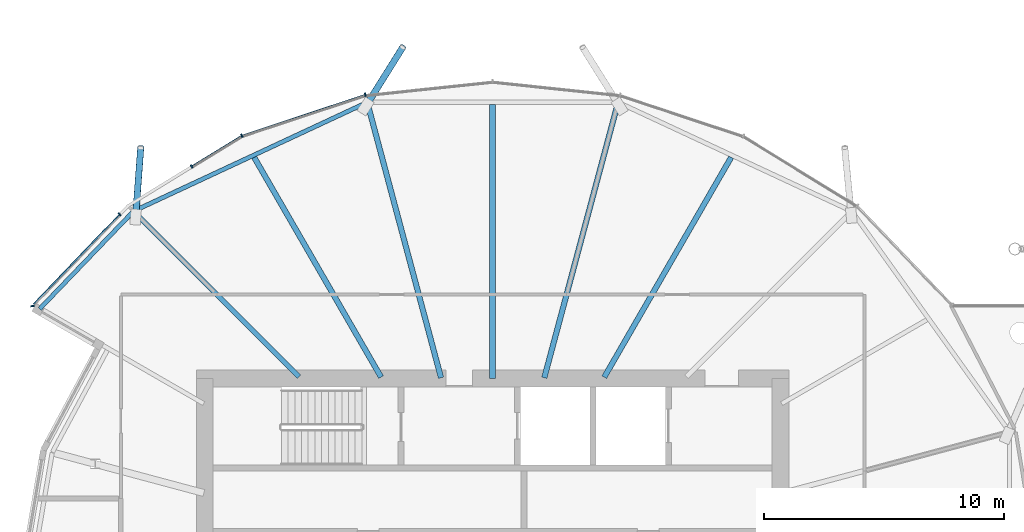
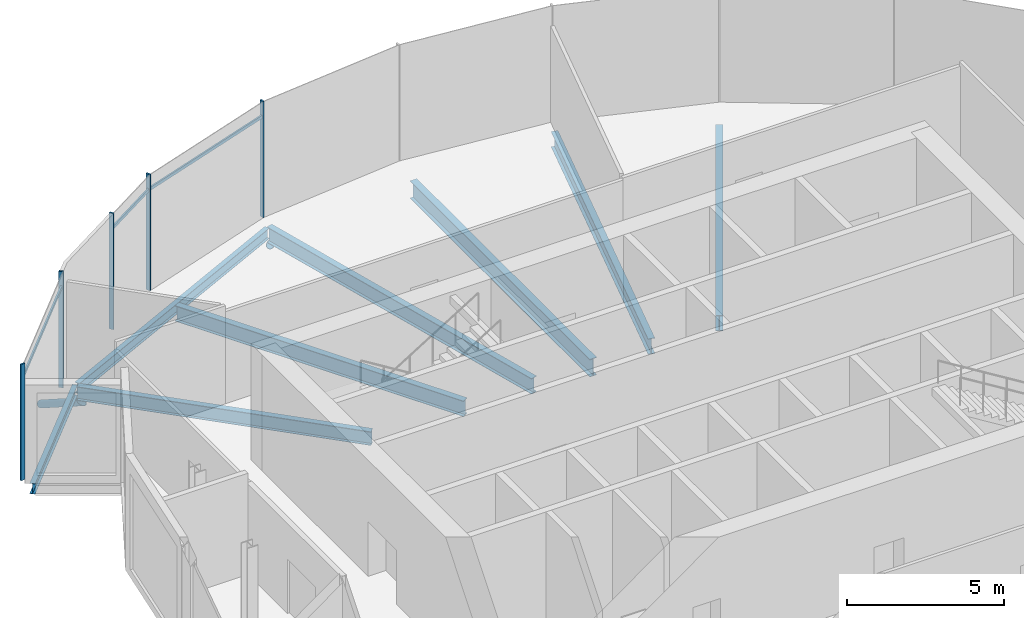
# One storey, part 8 of 36: 10 members, 8 beams, 1 element without a shape of its own.
"""IFC4 building model written with IfcOpenShell, lengths in metres."""

from ifc_helpers import new_model, si_unit, direction, frame, origin, origin_2d, place, context, subcontext, project, spatial, rectangle, hollow_circle, i_section, extrude, clip, halfspace, material, material_profile, profile_set, type_object, element, aggregate, save


model = new_model("IFC4")

# Units and contexts
model_context = context("Model", 3, precision=1e-05, world=origin(), true_north=direction((0.0, 1.0)))
body_context = subcontext(model_context, "Body", "Model", "MODEL_VIEW")
ifc_project = project(units=[si_unit("LENGTHUNIT", "METRE"), si_unit("AREAUNIT", "SQUARE_METRE"), si_unit("VOLUMEUNIT", "CUBIC_METRE"), si_unit("PLANEANGLEUNIT", "RADIAN"), si_unit("MASSUNIT", "GRAM", prefix="KILO")], contexts=[model_context])

# Site, building, storey
site_placement = place(None, origin())
site = spatial("IfcSite", under=ifc_project, at=site_placement, CompositionType="ELEMENT")
building_placement = place(site_placement, origin())
building = spatial("IfcBuilding", under=site, at=building_placement, Name="Rimbun Link Towers", CompositionType="ELEMENT")
storey_placement = place(building_placement, frame((0.0, 0.0, 154.39990234375)))
storey = spatial("IfcBuildingStorey", under=building, at=storey_placement, Name="L37", CompositionType="ELEMENT", Elevation=154.39990234375)

# Curtain wall, members
ifc_material_1 = material(Name="Aluminium 6063-T6 and low-iron glass", Category="aluminium")
curtain_wall_type = type_object("IfcCurtainWallType", Name="CW5 full height lobby wall", PredefinedType="NOTDEFINED", material=ifc_material_1)
curtain_wall_placement = place(storey_placement, origin())
curtain_wall = element("IfcCurtainWall", 1, at=curtain_wall_placement, inside=storey, type_object=curtain_wall_type, Name="CW5 L37 T1", PredefinedType="NOTDEFINED")
ifc_material_2 = material(Name="Aluminium 6063-T6", Category="aluminium")
ifc_material_profile_1 = material_profile(ifc_material_2, rectangle(XDim=0.14990234375, YDim=0.06005859375, at=origin_2d()), Name="MULLION 60X150")
ifc_profile_set_1 = profile_set([ifc_material_profile_1], Name="Aluminium 6063-T6")
member_type_1 = type_object("IfcMemberType", Name="CW5 mullion 60X150", PredefinedType="MULLION", material=ifc_profile_set_1)
member_1_placement = place(storey_placement, frame((-37.059814453125, 19.831298828125, 0.0), z_axis=(0.0, 0.0, 1.0), x_axis=(-0.210874693144, 0.977513101596, 0.0)))
member_1 = element("IfcMember", 2, at=member_1_placement, type_object=member_type_1, Name="CW5 mullion", PredefinedType="MULLION", context=body_context, shape_type="SweptSolid", body=[
    extrude(rectangle(XDim=0.14990234375, YDim=0.06005859375, at=origin_2d()), origin(), (0.0, 0.0, 1.0), 4.5),
])
member_2_placement = place(storey_placement, frame((-42.20703125, 18.12548828125, 0.0), z_axis=(0.0, 0.0, 1.0), x_axis=(-0.421697332152, 0.906736654192, 0.0)))
member_2 = element("IfcMember", 3, at=member_2_placement, type_object=member_type_1, Name="CW5 mullion", PredefinedType="MULLION", context=body_context, shape_type="SweptSolid", body=[
    extrude(rectangle(XDim=0.14990234375, YDim=0.06005859375, at=origin_2d()), origin(), (0.0, 0.0, 1.0), 4.5),
])
member_3_placement = place(storey_placement, frame((-44.3017578125, 16.840087890625, 0.0), z_axis=(0.0, 0.0, 1.0), x_axis=(-0.523225378089, 0.852194346217, 0.0)))
member_3 = element("IfcMember", 4, at=member_3_placement, type_object=member_type_1, Name="CW5 mullion", PredefinedType="MULLION", context=body_context, shape_type="SweptSolid", body=[
    extrude(rectangle(XDim=0.14990234375, YDim=0.06005859375, at=origin_2d()), origin(), (0.0, 0.0, 1.0), 4.5),
])
member_4_placement = place(storey_placement, frame((-50.93115234375, 11.020751953125, 0.0), z_axis=(0.0, 0.0, 1.0), x_axis=(-0.990014588747, -0.140964939143, 0.0)))
member_4 = element("IfcMember", 5, at=member_4_placement, type_object=member_type_1, Name="CW5 mullion", PredefinedType="MULLION", context=body_context, shape_type="SweptSolid", body=[
    extrude(rectangle(XDim=0.14990234375, YDim=0.06005859375, at=origin_2d()), origin(), (0.0, 0.0, 1.0), 4.5),
])
member_5_placement = place(storey_placement, frame((-47.304443359375, 14.84521484375, 0.0), z_axis=(0.0, 0.0, 1.0), x_axis=(-0.721858090698, 0.692041109252, 0.0)))
member_5 = element("IfcMember", 6, at=member_5_placement, type_object=member_type_1, Name="CW5 mullion", PredefinedType="MULLION", context=body_context, shape_type="SweptSolid", body=[
    extrude(rectangle(XDim=0.14990234375, YDim=0.06005859375, at=origin_2d()), origin(), (0.0, 0.0, 1.0), 4.5),
])
ifc_material_3 = material(Name="Aluminium 6063-T6", Category="aluminium")
ifc_material_profile_2 = material_profile(ifc_material_3, rectangle(XDim=0.06005859375, YDim=0.1201171875, at=origin_2d()), Name="TRANSOM 60X120")
ifc_profile_set_2 = profile_set([ifc_material_profile_2], Name="Aluminium 6063-T6")
member_type_2 = type_object("IfcMemberType", Name="CW5 transom 60X120", PredefinedType="USERDEFINED", material=ifc_profile_set_2)
member_6_placement = place(storey_placement, frame((-42.16650390625, 18.125732421875, 3.900146484375), z_axis=(0.949234446974, 0.314569491016, 0.0), x_axis=(-0.314569491016, 0.949234446974, 0.0)))
member_6 = element("IfcMember", 7, at=member_6_placement, type_object=member_type_2, Name="CW5 transom", ObjectType="TRANSOM", PredefinedType="USERDEFINED", context=body_context, shape_type="SweptSolid", body=[
    extrude(rectangle(XDim=0.06005859375, YDim=0.1201171875, at=origin_2d()), origin(), (0.0, 0.0, 1.0), 5.345947265625),
])
member_7_placement = place(storey_placement, frame((-44.269287109375, 16.8447265625, 3.900146484375), z_axis=(0.852191211524, 0.523230483631, 0.0), x_axis=(-0.523230483631, 0.852191211524, 0.0)))
member_7 = element("IfcMember", 8, at=member_7_placement, type_object=member_type_2, Name="CW5 transom", ObjectType="TRANSOM", PredefinedType="USERDEFINED", context=body_context, shape_type="SweptSolid", body=[
    extrude(rectangle(XDim=0.06005859375, YDim=0.1201171875, at=origin_2d()), origin(), (0.0, 0.0, 1.0), 2.388916015625),
])
member_8_placement = place(storey_placement, frame((-50.880859375, 11.095947265625, 3.900146484375), z_axis=(0.69206900955, 0.721831341811, 0.0), x_axis=(-0.721831341811, 0.69206900955, 0.0)))
member_8 = element("IfcMember", 9, at=member_8_placement, type_object=member_type_2, Name="CW5 transom", ObjectType="TRANSOM", PredefinedType="USERDEFINED", context=body_context, shape_type="SweptSolid", body=[
    extrude(rectangle(XDim=0.06005859375, YDim=0.1201171875, at=origin_2d()), origin(), (0.0, 0.0, 1.0), 5.1513671875),
])
aggregate(curtain_wall, [member_1, member_2, member_3, member_4, member_5, member_6, member_7, member_8])

# Members
ifc_material_4 = material(Name="Steel S355J2H", Category="steel")
ifc_material_profile_3 = material_profile(ifc_material_4, hollow_circle(Radius=0.136474609375, WallThickness=0.012451171875, at=origin_2d()), Name="CHS 273x12.5")
ifc_profile_set_3 = profile_set([ifc_material_profile_3], Name="Steel S355J2H")
member_type_3 = type_object("IfcMemberType", Name="Floor edge link CHS 273x12.5", PredefinedType="BRACE", material=ifc_profile_set_3)
member_9_placement = place(storey_placement, frame((-36.9658203125, 19.465087890625, -0.897216796875), z_axis=(0.445991113908, 0.711836509262, -0.542568622754), x_axis=(-0.847412832635, 0.530934545011, 0.0)))
element("IfcMember", 10, at=member_9_placement, inside=storey, type_object=member_type_3, Name="Floor edge link T1 L37 07", PredefinedType="BRACE", context=body_context, shape_type="Clipping", body=[
    clip(extrude(hollow_circle(Radius=0.136474609375, WallThickness=0.012451171875, at=origin_2d()), frame((0.0, 0.0, -0.441162109375)), (0.0, 0.0, 1.0), 3.7626953125), halfspace(frame((0.0, 0.0, -0.207763671875), z_axis=(0.0, 0.840011481828, -0.542568622754)), False)),
])
member_10_placement = place(storey_placement, frame((-46.62353515625, 14.87353515625, -0.826904296875), z_axis=(0.061675883035, 0.832477922431, -0.550614742008), x_axis=(-0.997266796676, 0.073884614413, 0.0)))
element("IfcMember", 11, at=member_10_placement, inside=storey, type_object=member_type_3, Name="Floor edge link T1 L37 09", PredefinedType="BRACE", context=body_context, shape_type="Clipping", body=[
    clip(extrude(hollow_circle(Radius=0.136474609375, WallThickness=0.012451171875, at=origin_2d()), frame((0.0, 0.0, -0.43212890625)), (0.0, 0.0, 1.0), 3.76513671875), halfspace(frame((0.0, 0.0, -0.203125), z_axis=(0.0, 0.834759489844, -0.550614742008)), False)),
])

# Beams
ifc_material_5 = material(Name="Steel S355J2", Category="steel")
ifc_material_profile_4 = material_profile(ifc_material_5, i_section(OverallWidth=0.177978515625, OverallDepth=0.406494140625, WebThickness=0.0078125, FlangeThickness=0.0126953125, at=origin_2d()), Name="UB 406x178x60")
ifc_profile_set_4 = profile_set([ifc_material_profile_4], Name="Steel S355J2")
beam_type_1 = type_object("IfcBeamType", Name="UB 406x178x60", PredefinedType="BEAM", material=ifc_profile_set_4)
beam_1_placement = place(storey_placement, frame((-37.084228515625, 19.46435546875, -0.383056640625), z_axis=(-0.906400585734, -0.422419197222, 0.0), x_axis=(0.422419197222, -0.906400585734, 0.0)))
element("IfcBeam", 12, at=beam_1_placement, inside=storey, type_object=beam_type_1, Name="Edge beam T1 L37 07-09", PredefinedType="BEAM", context=body_context, shape_type="SweptSolid", body=[
    extrude(i_section(OverallWidth=0.177978515625, OverallDepth=0.406494140625, WebThickness=0.0078125, FlangeThickness=0.0126953125, at=origin_2d()), origin(), (0.0, 0.0, 1.0), 10.521240234375),
])
beam_2_placement = place(storey_placement, frame((-46.72314453125, 14.9716796875, -0.383056640625), z_axis=(-0.692949602563, -0.720986025044, 0.0), x_axis=(0.720986025044, -0.692949602563, 0.0)))
element("IfcBeam", 13, at=beam_2_placement, inside=storey, type_object=beam_type_1, Name="Edge beam T1 L37 09", PredefinedType="BEAM", context=body_context, shape_type="SweptSolid", body=[
    extrude(i_section(OverallWidth=0.177978515625, OverallDepth=0.406494140625, WebThickness=0.0078125, FlangeThickness=0.0126953125, at=origin_2d()), origin(), (0.0, 0.0, 1.0), 5.642822265625),
])
ifc_material_6 = material(Name="Steel S355J2", Category="steel")
ifc_material_profile_5 = material_profile(ifc_material_6, i_section(OverallWidth=0.209228515625, OverallDepth=0.533203125, WebThickness=0.010009765625, FlangeThickness=0.015625, at=origin_2d()), Name="UB 533x210x92")
ifc_profile_set_5 = profile_set([ifc_material_profile_5], Name="Steel S355J2")
beam_type_2 = type_object("IfcBeamType", Name="UB 533x210x92", PredefinedType="BEAM", material=ifc_profile_set_5)
beam_3_placement = place(storey_placement, frame((-39.82470703125, 8.07470703125, -0.4462890625), z_axis=(-0.707106781187, 0.707106781187, 0.0), x_axis=(-0.707106781187, -0.707106781187, 0.0)))
element("IfcBeam", 14, at=beam_3_placement, inside=storey, type_object=beam_type_2, Name="Radial beam T1 L37 09", PredefinedType="BEAM", context=body_context, shape_type="SweptSolid", body=[
    extrude(i_section(OverallWidth=0.209228515625, OverallDepth=0.533203125, WebThickness=0.010009765625, FlangeThickness=0.015625, at=origin_2d()), origin(), (0.0, 0.0, 1.0), 9.664794921875),
])
ifc_material_7 = material(Name="Steel S355J2", Category="steel")
ifc_material_profile_6 = material_profile(ifc_material_7, i_section(OverallWidth=0.2275390625, OverallDepth=0.6025390625, WebThickness=0.010498046875, FlangeThickness=0.014892578125, at=origin_2d()), Name="UB 610x229x101")
ifc_profile_set_6 = profile_set([ifc_material_profile_6], Name="Steel S355J2")
beam_type_3 = type_object("IfcBeamType", Name="UB 610x229x101", PredefinedType="BEAM", material=ifc_profile_set_6)
beam_4_placement = place(storey_placement, frame((-27.097900390625, 8.057861328125, -0.481201171875), z_axis=(0.500014158692, 0.866017229106, 0.0), x_axis=(-0.866017229106, 0.500014158692, 0.0)))
element("IfcBeam", 15, at=beam_4_placement, inside=storey, type_object=beam_type_3, Name="Radial beam T1 L37 04", PredefinedType="BEAM", context=body_context, shape_type="SweptSolid", body=[
    extrude(i_section(OverallWidth=0.2275390625, OverallDepth=0.6025390625, WebThickness=0.010498046875, FlangeThickness=0.014892578125, at=origin_2d()), origin(), (0.0, 0.0, 1.0), 10.577392578125),
])
for number, where, z_axis, x_axis, name in (
    (16, (-29.598388671875, 8.030517578125, -0.481201171875), (0.258824365794, 0.965924400598, 0.0), (-0.965924400598, 0.258824365794, 0.0), "Radial beam T1 L37 05"),
    (17, (-33.901611328125, 8.030517578125, -0.481201171875), (-0.258824365794, 0.965924400598, 0.0), (-0.965924400598, -0.258824365794, 0.0), "Radial beam T1 L37 07"),
):
    element("IfcBeam", number, at=place(storey_placement, frame(where, z_axis=z_axis, x_axis=x_axis)), inside=storey, type_object=beam_type_3, Name=name, PredefinedType="BEAM", context=body_context, shape_type="SweptSolid", body=[
        extrude(i_section(OverallWidth=0.2275390625, OverallDepth=0.6025390625, WebThickness=0.010498046875, FlangeThickness=0.014892578125, at=origin_2d()), origin(), (0.0, 0.0, 1.0), 11.887939453125),
    ])
beam_5_placement = place(storey_placement, frame((-36.402099609375, 8.057861328125, -0.481201171875), z_axis=(-0.500014158692, 0.866017229106, 0.0), x_axis=(-0.866017229106, -0.500014158692, 0.0)))
element("IfcBeam", 18, at=beam_5_placement, inside=storey, type_object=beam_type_3, Name="Radial beam T1 L37 08", PredefinedType="BEAM", context=body_context, shape_type="SweptSolid", body=[
    extrude(i_section(OverallWidth=0.2275390625, OverallDepth=0.6025390625, WebThickness=0.010498046875, FlangeThickness=0.014892578125, at=origin_2d()), origin(), (0.0, 0.0, 1.0), 10.577392578125),
])
ifc_material_8 = material(Name="Steel S355J2", Category="steel")
ifc_material_profile_7 = material_profile(ifc_material_8, i_section(OverallWidth=0.253662109375, OverallDepth=0.68359375, WebThickness=0.012451171875, FlangeThickness=0.01904296875, at=origin_2d()), Name="UB 686x254x140")
ifc_profile_set_7 = profile_set([ifc_material_profile_7], Name="Steel S355J2")
beam_type_4 = type_object("IfcBeamType", Name="UB 686x254x140", PredefinedType="BEAM", material=ifc_profile_set_7)
beam_6_placement = place(storey_placement, frame((-31.75, 8.0009765625, -0.521484375), z_axis=(0.0, 1.0, 0.0), x_axis=(-1.0, 0.0, 0.0)))
element("IfcBeam", 19, at=beam_6_placement, inside=storey, type_object=beam_type_4, Name="Radial beam T1 L37 06", PredefinedType="BEAM", context=body_context, shape_type="SweptSolid", body=[
    extrude(i_section(OverallWidth=0.253662109375, OverallDepth=0.68359375, WebThickness=0.012451171875, FlangeThickness=0.01904296875, at=origin_2d()), origin(), (0.0, 0.0, 1.0), 11.422607421875),
])

save(model, "model.ifc")
